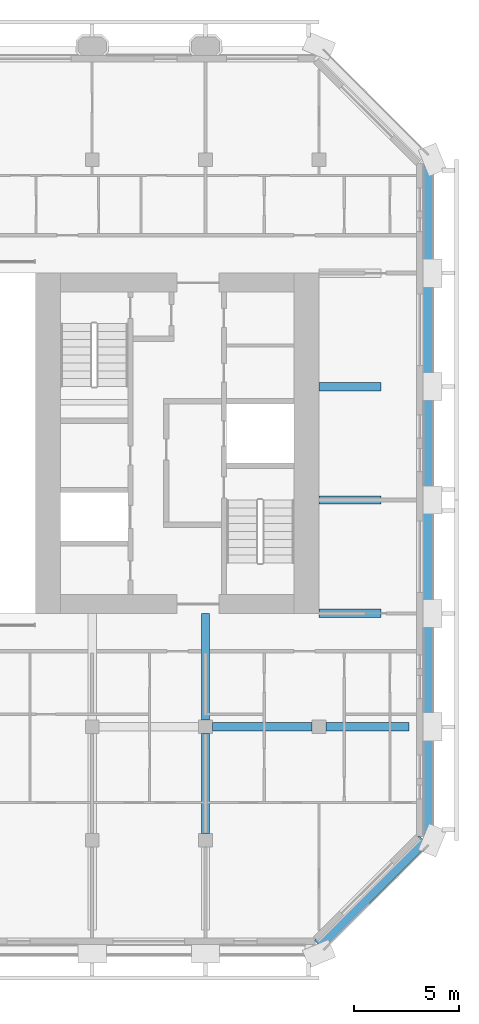
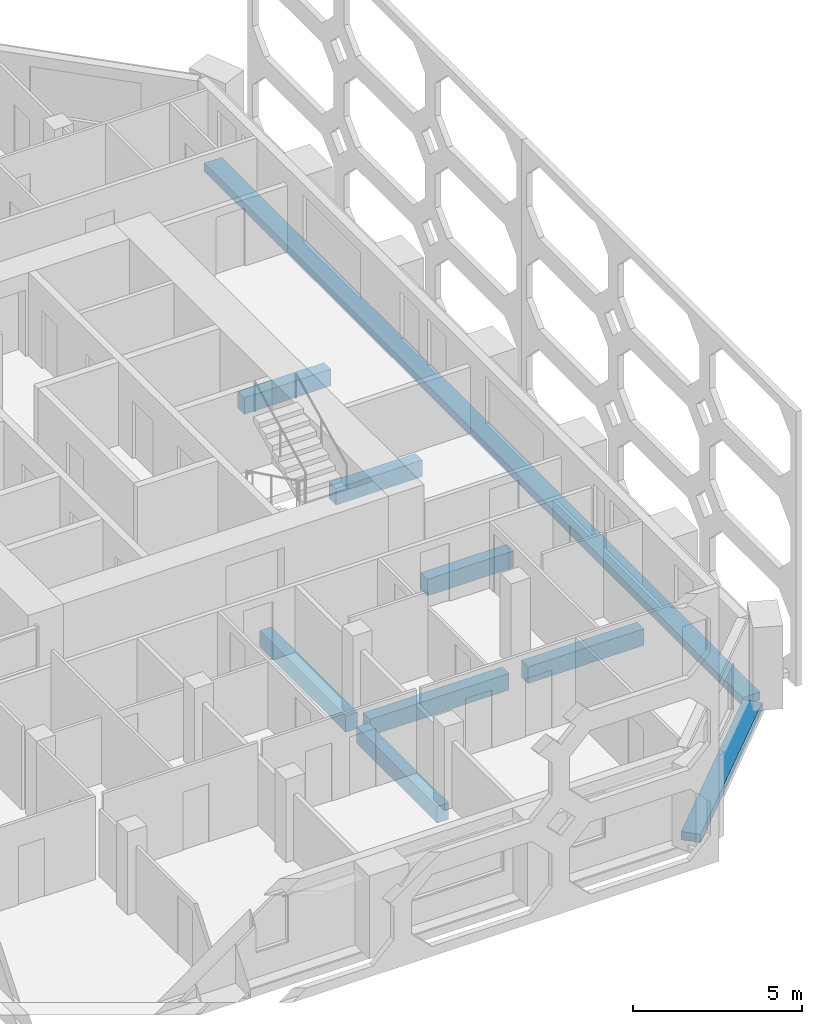
# One storey, part 3 of 15: 9 beams.
"""IFC4 building model written with IfcOpenShell, lengths in metres."""

from ifc_helpers import new_model, si_unit, direction, frame, origin, origin_2d, place, context, subcontext, project, spatial, rectangle, extrude, material, material_profile, profile_set, type_object, element, save


model = new_model("IFC4")

# Units and contexts
model_context = context("Model", 3, precision=1e-05, world=origin(), true_north=direction((0.0, 1.0)))
body_context = subcontext(model_context, "Body", "Model", "MODEL_VIEW")
ifc_project = project(units=[si_unit("LENGTHUNIT", "METRE"), si_unit("AREAUNIT", "SQUARE_METRE"), si_unit("VOLUMEUNIT", "CUBIC_METRE"), si_unit("PLANEANGLEUNIT", "RADIAN"), si_unit("MASSUNIT", "GRAM", prefix="KILO")], contexts=[model_context])

# Site, building, storey
site_placement = place(None, origin())
site = spatial("IfcSite", under=ifc_project, at=site_placement, CompositionType="ELEMENT")
building_placement = place(site_placement, origin())
building = spatial("IfcBuilding", under=site, at=building_placement, Name="Tabaq Tower and Sports Hall", CompositionType="ELEMENT")
storey_placement = place(building_placement, frame((0.0, 0.0, 278.5)))
storey = spatial("IfcBuildingStorey", under=building, at=storey_placement, Name="L68", CompositionType="ELEMENT", Elevation=278.5)

# Beams
ifc_material_1 = material(Name="Concrete C40/50", Category="concrete")
ifc_material_profile_1 = material_profile(ifc_material_1, rectangle(XDim=0.39990234375, YDim=0.60009765625, at=origin_2d()), Name="CB 400x600")
ifc_profile_set_1 = profile_set([ifc_material_profile_1], Name="Concrete C40/50")
beam_type_1 = type_object("IfcBeamType", Name="PT CANTILEVER BEAM CB 400x600 C40/50", PredefinedType="BEAM", material=ifc_profile_set_1)
beam_1_placement = place(storey_placement, frame((47.47509765625, 10.800048828125, -0.60009765625), z_axis=(-1.0, 0.0, 0.0), x_axis=(0.0, -1.0, 0.0)))
element("IfcBeam", 1, at=beam_1_placement, inside=storey, type_object=beam_type_1, Name="Cantilever Beam L68 E2 span 1", PredefinedType="BEAM", context=body_context, shape_type="SweptSolid", body=[
    extrude(rectangle(XDim=0.39990234375, YDim=0.60009765625, at=origin_2d()), origin(), (0.0, 0.0, 1.0), 3.9501953125),
])
beam_2_placement = place(storey_placement, frame((42.875, 10.800048828125, -0.60009765625), z_axis=(-1.0, 0.0, 0.0), x_axis=(0.0, -1.0, 0.0)))
element("IfcBeam", 2, at=beam_2_placement, inside=storey, type_object=beam_type_1, Name="Cantilever Beam L68 E2 span 2", PredefinedType="BEAM", context=body_context, shape_type="SweptSolid", body=[
    extrude(rectangle(XDim=0.39990234375, YDim=0.60009765625, at=origin_2d()), origin(), (0.0, 0.0, 1.0), 4.75),
])
for number, where, z_axis, x_axis, name in (
    (3, (46.14990234375, 16.199951171875, -0.60009765625), (-1.0, 0.0, 0.0), (0.0, -1.0, 0.0), "Cantilever Beam L68 E3 span 1"),
    (4, (46.14990234375, 21.60009765625, -0.60009765625), (-1.0, 0.0, 0.0), (0.0, -1.0, 0.0), "Cantilever Beam L68 E4 span 1"),
    (5, (46.14990234375, 27.0, -0.60009765625), (-1.0, 0.0, 0.0), (0.0, -1.0, 0.0), "Cantilever Beam L68 E5 span 1"),
):
    element("IfcBeam", number, at=place(storey_placement, frame(where, z_axis=z_axis, x_axis=x_axis)), inside=storey, type_object=beam_type_1, Name=name, PredefinedType="BEAM", context=body_context, shape_type="SweptSolid", body=[
        extrude(rectangle(XDim=0.39990234375, YDim=0.60009765625, at=origin_2d()), origin(), (0.0, 0.0, 1.0), 2.949951171875),
    ])
beam_3_placement = place(storey_placement, frame((37.800048828125, 5.72509765625, -0.60009765625), z_axis=(0.0, 1.0, 0.0), x_axis=(-1.0, 0.0, 0.0)))
element("IfcBeam", 6, at=beam_3_placement, inside=storey, type_object=beam_type_1, Name="Cantilever Beam L68 S7 span 2", PredefinedType="BEAM", context=body_context, shape_type="SweptSolid", body=[
    extrude(rectangle(XDim=0.39990234375, YDim=0.60009765625, at=origin_2d()), origin(), (0.0, 0.0, 1.0), 4.75),
])
beam_4_placement = place(storey_placement, frame((37.800048828125, 11.125, -0.60009765625), z_axis=(0.0, 1.0, 0.0), x_axis=(-1.0, 0.0, 0.0)))
element("IfcBeam", 7, at=beam_4_placement, inside=storey, type_object=beam_type_1, Name="Cantilever Beam L68 S7 span 3", PredefinedType="BEAM", context=body_context, shape_type="SweptSolid", body=[
    extrude(rectangle(XDim=0.39990234375, YDim=0.60009765625, at=origin_2d()), origin(), (0.0, 0.0, 1.0), 5.074951171875),
])
ifc_material_2 = material(Name="Concrete C40/50", Category="concrete")
ifc_material_profile_2 = material_profile(ifc_material_2, rectangle(XDim=0.60009765625, YDim=0.300048828125, at=origin_2d()), Name="EB 600x300")
ifc_profile_set_2 = profile_set([ifc_material_profile_2], Name="Concrete C40/50")
beam_type_2 = type_object("IfcBeamType", Name="PT EDGE BEAM EB 600x300 C40/50", PredefinedType="SPANDREL", material=ifc_profile_set_2)
beam_5_placement = place(storey_placement, frame((43.198974609375, 0.42333984375, -0.14990234375), z_axis=(0.707106781187, 0.707106781187, 0.0), x_axis=(-0.707106781187, 0.707106781187, 0.0)))
element("IfcBeam", 8, at=beam_5_placement, inside=storey, type_object=beam_type_2, Name="Edge Beam L68 2", PredefinedType="SPANDREL", context=body_context, shape_type="SweptSolid", body=[
    extrude(rectangle(XDim=0.60009765625, YDim=0.300048828125, at=origin_2d()), origin(), (0.0, 0.0, 1.0), 7.03955078125),
])
beam_6_placement = place(storey_placement, frame((48.300048828125, 5.698486328125, -0.14990234375), z_axis=(0.0, 1.0, 0.0), x_axis=(-1.0, 0.0, 0.0)))
element("IfcBeam", 9, at=beam_6_placement, inside=storey, type_object=beam_type_2, Name="Edge Beam L68 3", PredefinedType="SPANDREL", context=body_context, shape_type="SweptSolid", body=[
    extrude(rectangle(XDim=0.60009765625, YDim=0.300048828125, at=origin_2d()), origin(), (0.0, 0.0, 1.0), 31.802978515625),
])

save(model, "model.ifc")
